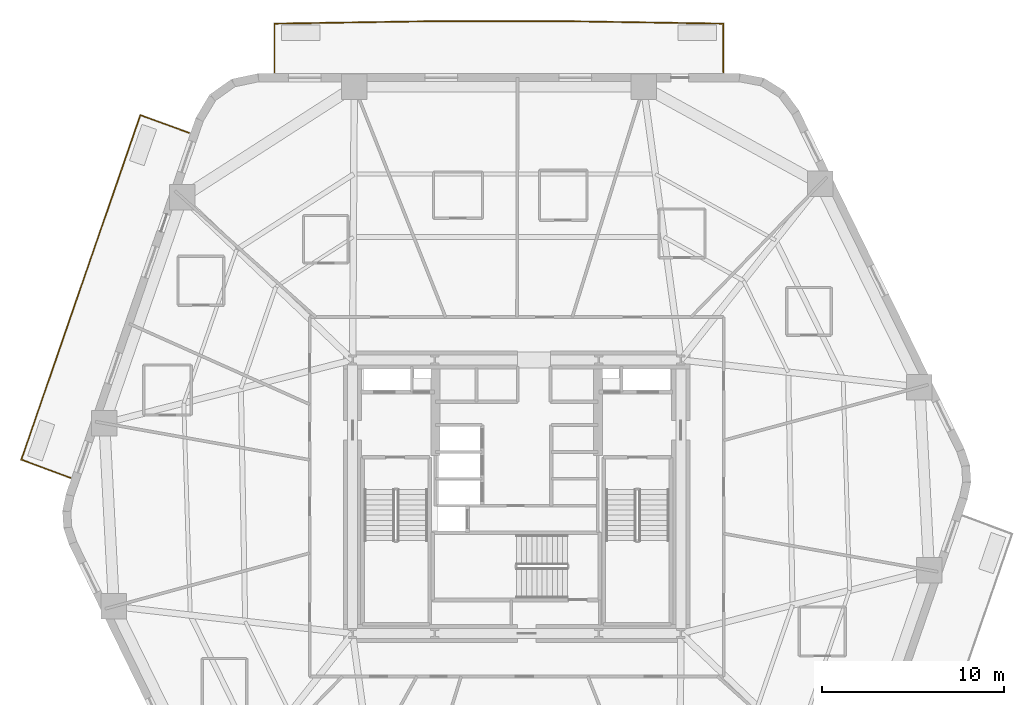
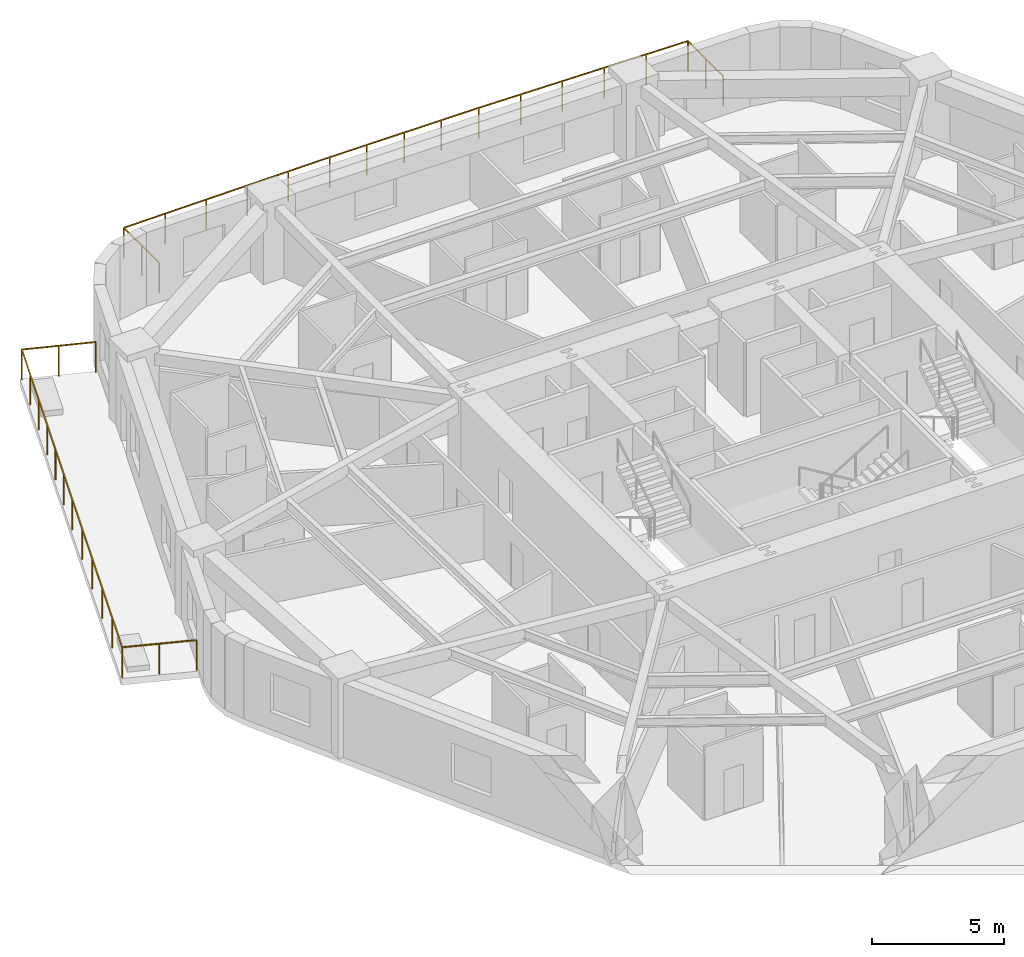
# One storey, part 10 of 10: 2 railings.
"""IFC4 building model written with IfcOpenShell, lengths in metres."""

from ifc_helpers import new_model, si_unit, direction, frame, origin, origin_2d, place, context, subcontext, project, spatial, rectangle, extrude, material, layer, layer_set, type_object, element, save


model = new_model("IFC4")

# Units and contexts
model_context = context("Model", 3, precision=1e-05, world=origin(), true_north=direction((0.0, 1.0)))
body_context = subcontext(model_context, "Body", "Model", "MODEL_VIEW")
ifc_project = project(units=[si_unit("LENGTHUNIT", "METRE"), si_unit("AREAUNIT", "SQUARE_METRE"), si_unit("VOLUMEUNIT", "CUBIC_METRE"), si_unit("PLANEANGLEUNIT", "RADIAN"), si_unit("MASSUNIT", "GRAM", prefix="KILO")], contexts=[model_context])

# Site, building, storey
site_placement = place(None, origin())
site = spatial("IfcSite", under=ifc_project, at=site_placement, CompositionType="ELEMENT")
building_placement = place(site_placement, origin())
building = spatial("IfcBuilding", under=site, at=building_placement, Name="Kilnhurst Terrace Hotel", CompositionType="ELEMENT")
storey_placement = place(building_placement, frame((0.0, 0.0, 74.89990234375)))
storey = spatial("IfcBuildingStorey", under=building, at=storey_placement, Name="L17", CompositionType="ELEMENT", Elevation=74.89990234375)

# Railings
ifc_material = material(Name="Laminated SentryGlas and Stainless Steel AISI 316L Balustrade", Category="steel")
ifc_layer = layer(ifc_material, 0.070068359375, Name="Laminated SentryGlas and Stainless Steel AISI 316L Balustrade")
ifc_layer_set = layer_set([ifc_layer], Name="Laminated SentryGlas and Stainless Steel AISI 316L Balustrade")
railing_type = type_object("IfcRailingType", Name="RLG-BAL-1420", PredefinedType="BALUSTRADE", material=ifc_layer_set)
railing_1_placement = place(storey_placement, frame((-13.281494140625, 23.280029296875, 0.0)))
element("IfcRailing", 1, at=railing_1_placement, inside=storey, type_object=railing_type, Name="L17 Exterior Terrace Guardrail BAL-L2A.1", PredefinedType="BALUSTRADE", context=body_context, shape_type="SweptSolid", body=[
    extrude(rectangle(XDim=0.048095703125, YDim=0.048095703125, at=origin_2d()), frame((0.0, 0.0, 1.39599609375), z_axis=(0.0, 1.0, 0.0), x_axis=(-1.0, 0.0, 0.0)), (0.0, 0.0, 1.0), 2.660888671875),
    extrude(rectangle(XDim=0.048095703125, YDim=0.048095703125, at=origin_2d()), frame((0.0, 2.660888671875, 1.39599609375), z_axis=(0.999881869157, 0.015370352358, 0.0), x_axis=(-0.015370352358, 0.999881869157, 0.0)), (0.0, 0.0, 1.0), 9.0537109375),
    extrude(rectangle(XDim=0.048095703125, YDim=0.048095703125, at=origin_2d()), frame((9.052734375, 2.800048828125, 1.39599609375), z_axis=(1.0, 0.0, 0.0), x_axis=(0.0, 1.0, 0.0)), (0.0, 0.0, 1.0), 6.508056640625),
    extrude(rectangle(XDim=0.048095703125, YDim=0.048095703125, at=origin_2d()), frame((15.560791015625, 2.800048828125, 1.39599609375), z_axis=(0.999881869157, -0.015370352358, 0.0), x_axis=(0.015370352358, 0.999881869157, 0.0)), (0.0, 0.0, 1.0), 9.0537109375),
    extrude(rectangle(XDim=0.048095703125, YDim=0.048095703125, at=origin_2d()), frame((24.613525390625, 2.660888671875, 1.39599609375), z_axis=(0.0, -1.0, 0.0), x_axis=(1.0, 0.0, 0.0)), (0.0, 0.0, 1.0), 2.660888671875),
    extrude(rectangle(XDim=0.0419921875, YDim=0.0419921875, at=origin_2d()), origin(), (0.0, 0.0, 1.0), 1.371826171875),
    extrude(rectangle(XDim=0.0419921875, YDim=0.0419921875, at=origin_2d()), frame((0.0, 1.33056640625, 0.0)), (0.0, 0.0, 1.0), 1.371826171875),
    extrude(rectangle(XDim=0.0419921875, YDim=0.0419921875, at=origin_2d()), frame((0.0, 2.660888671875, 0.0)), (0.0, 0.0, 1.0), 1.371826171875),
    extrude(rectangle(XDim=0.0419921875, YDim=0.0419921875, at=origin_2d()), frame((1.810546875, 2.688720703125, 0.0)), (0.0, 0.0, 1.0), 1.371826171875),
    extrude(rectangle(XDim=0.0419921875, YDim=0.0419921875, at=origin_2d()), frame((3.62109375, 2.716552734375, 0.0)), (0.0, 0.0, 1.0), 1.371826171875),
    extrude(rectangle(XDim=0.0419921875, YDim=0.0419921875, at=origin_2d()), frame((5.431640625, 2.744384765625, 0.0)), (0.0, 0.0, 1.0), 1.371826171875),
    extrude(rectangle(XDim=0.0419921875, YDim=0.0419921875, at=origin_2d()), frame((7.2421875, 2.772216796875, 0.0)), (0.0, 0.0, 1.0), 1.371826171875),
    extrude(rectangle(XDim=0.0419921875, YDim=0.0419921875, at=origin_2d()), frame((9.052734375, 2.800048828125, 0.0)), (0.0, 0.0, 1.0), 1.371826171875),
    extrude(rectangle(XDim=0.0419921875, YDim=0.0419921875, at=origin_2d()), frame((10.6796875, 2.800048828125, 0.0)), (0.0, 0.0, 1.0), 1.371826171875),
    extrude(rectangle(XDim=0.0419921875, YDim=0.0419921875, at=origin_2d()), frame((12.306640625, 2.800048828125, 0.0)), (0.0, 0.0, 1.0), 1.371826171875),
    extrude(rectangle(XDim=0.0419921875, YDim=0.0419921875, at=origin_2d()), frame((13.933837890625, 2.800048828125, 0.0)), (0.0, 0.0, 1.0), 1.371826171875),
    extrude(rectangle(XDim=0.0419921875, YDim=0.0419921875, at=origin_2d()), frame((15.560791015625, 2.800048828125, 0.0)), (0.0, 0.0, 1.0), 1.371826171875),
    extrude(rectangle(XDim=0.0419921875, YDim=0.0419921875, at=origin_2d()), frame((17.371337890625, 2.772216796875, 0.0)), (0.0, 0.0, 1.0), 1.371826171875),
    extrude(rectangle(XDim=0.0419921875, YDim=0.0419921875, at=origin_2d()), frame((19.181884765625, 2.744384765625, 0.0)), (0.0, 0.0, 1.0), 1.371826171875),
    extrude(rectangle(XDim=0.0419921875, YDim=0.0419921875, at=origin_2d()), frame((20.992431640625, 2.716552734375, 0.0)), (0.0, 0.0, 1.0), 1.371826171875),
    extrude(rectangle(XDim=0.0419921875, YDim=0.0419921875, at=origin_2d()), frame((22.802978515625, 2.688720703125, 0.0)), (0.0, 0.0, 1.0), 1.371826171875),
    extrude(rectangle(XDim=0.0419921875, YDim=0.0419921875, at=origin_2d()), frame((24.613525390625, 2.660888671875, 0.0)), (0.0, 0.0, 1.0), 1.371826171875),
    extrude(rectangle(XDim=0.0419921875, YDim=0.0419921875, at=origin_2d()), frame((24.613525390625, 1.33056640625, 0.0)), (0.0, 0.0, 1.0), 1.371826171875),
    extrude(rectangle(XDim=0.0419921875, YDim=0.0419921875, at=origin_2d()), frame((24.613525390625, 0.0, 0.0)), (0.0, 0.0, 1.0), 1.371826171875),
])
railing_2_placement = place(storey_placement, frame((-24.485107421875, 1.041748046875, 0.0)))
element("IfcRailing", 2, at=railing_2_placement, inside=storey, type_object=railing_type, Name="L17 Exterior Terrace Guardrail BAL-L2B.1", PredefinedType="BALUSTRADE", context=body_context, shape_type="SweptSolid", body=[
    extrude(rectangle(XDim=0.048095703125, YDim=0.048095703125, at=origin_2d()), frame((0.0, 0.0, 1.39599609375), z_axis=(-0.937279097592, 0.348579823308, 0.0), x_axis=(-0.348579823308, -0.937279097592, 0.0)), (0.0, 0.0, 1.0), 2.85205078125),
    extrude(rectangle(XDim=0.048095703125, YDim=0.048095703125, at=origin_2d()), frame((-2.673095703125, 0.994140625, 1.39599609375), z_axis=(0.326159116329, 0.945314884488, 0.0), x_axis=(-0.945314884488, 0.326159116329, 0.0)), (0.0, 0.0, 1.0), 9.91650390625),
    extrude(rectangle(XDim=0.048095703125, YDim=0.048095703125, at=origin_2d()), frame((0.561279296875, 10.368408203125, 1.39599609375), z_axis=(0.326903959129, 0.945057565181, 0.0), x_axis=(-0.945057565181, 0.326903959129, 0.0)), (0.0, 0.0, 1.0), 10.065673828125),
    extrude(rectangle(XDim=0.048095703125, YDim=0.048095703125, at=origin_2d()), frame((3.851806640625, 19.881103515625, 1.39599609375), z_axis=(0.939926315563, -0.341377388402, 0.0), x_axis=(0.341377388402, 0.939926315563, 0.0)), (0.0, 0.0, 1.0), 2.84130859375),
    extrude(rectangle(XDim=0.0419921875, YDim=0.0419921875, at=origin_2d()), origin(), (0.0, 0.0, 1.0), 1.371826171875),
    extrude(rectangle(XDim=0.0419921875, YDim=0.0419921875, at=origin_2d()), frame((-1.33642578125, 0.4970703125, 0.0)), (0.0, 0.0, 1.0), 1.371826171875),
    extrude(rectangle(XDim=0.0419921875, YDim=0.0419921875, at=origin_2d()), frame((-2.673095703125, 0.994140625, 0.0)), (0.0, 0.0, 1.0), 1.371826171875),
    extrude(rectangle(XDim=0.0419921875, YDim=0.0419921875, at=origin_2d()), frame((-2.026123046875, 2.868896484375, 0.0)), (0.0, 0.0, 1.0), 1.371826171875),
    extrude(rectangle(XDim=0.0419921875, YDim=0.0419921875, at=origin_2d()), frame((-1.37939453125, 4.743896484375, 0.0)), (0.0, 0.0, 1.0), 1.371826171875),
    extrude(rectangle(XDim=0.0419921875, YDim=0.0419921875, at=origin_2d()), frame((-0.732421875, 6.61865234375, 0.0)), (0.0, 0.0, 1.0), 1.371826171875),
    extrude(rectangle(XDim=0.0419921875, YDim=0.0419921875, at=origin_2d()), frame((-0.085693359375, 8.49365234375, 0.0)), (0.0, 0.0, 1.0), 1.371826171875),
    extrude(rectangle(XDim=0.0419921875, YDim=0.0419921875, at=origin_2d()), frame((0.561279296875, 10.368408203125, 0.0)), (0.0, 0.0, 1.0), 1.371826171875),
    extrude(rectangle(XDim=0.0419921875, YDim=0.0419921875, at=origin_2d()), frame((1.109619140625, 11.953857421875, 0.0)), (0.0, 0.0, 1.0), 1.371826171875),
    extrude(rectangle(XDim=0.0419921875, YDim=0.0419921875, at=origin_2d()), frame((1.658203125, 13.539306640625, 0.0)), (0.0, 0.0, 1.0), 1.371826171875),
    extrude(rectangle(XDim=0.0419921875, YDim=0.0419921875, at=origin_2d()), frame((2.20654296875, 15.124755859375, 0.0)), (0.0, 0.0, 1.0), 1.371826171875),
    extrude(rectangle(XDim=0.0419921875, YDim=0.0419921875, at=origin_2d()), frame((2.7548828125, 16.710205078125, 0.0)), (0.0, 0.0, 1.0), 1.371826171875),
    extrude(rectangle(XDim=0.0419921875, YDim=0.0419921875, at=origin_2d()), frame((3.303466796875, 18.295654296875, 0.0)), (0.0, 0.0, 1.0), 1.371826171875),
    extrude(rectangle(XDim=0.0419921875, YDim=0.0419921875, at=origin_2d()), frame((3.851806640625, 19.881103515625, 0.0)), (0.0, 0.0, 1.0), 1.371826171875),
    extrude(rectangle(XDim=0.0419921875, YDim=0.0419921875, at=origin_2d()), frame((5.18701171875, 19.39599609375, 0.0)), (0.0, 0.0, 1.0), 1.371826171875),
    extrude(rectangle(XDim=0.0419921875, YDim=0.0419921875, at=origin_2d()), frame((6.5224609375, 18.9111328125, 0.0)), (0.0, 0.0, 1.0), 1.371826171875),
])

save(model, "model.ifc")
